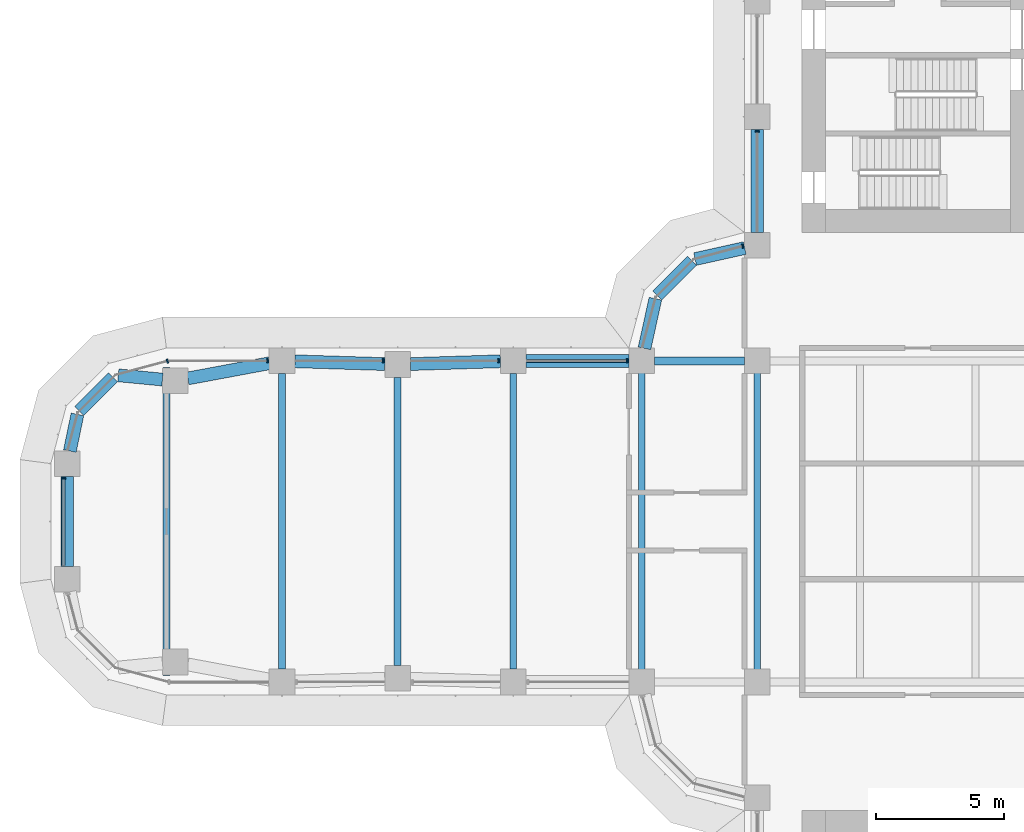
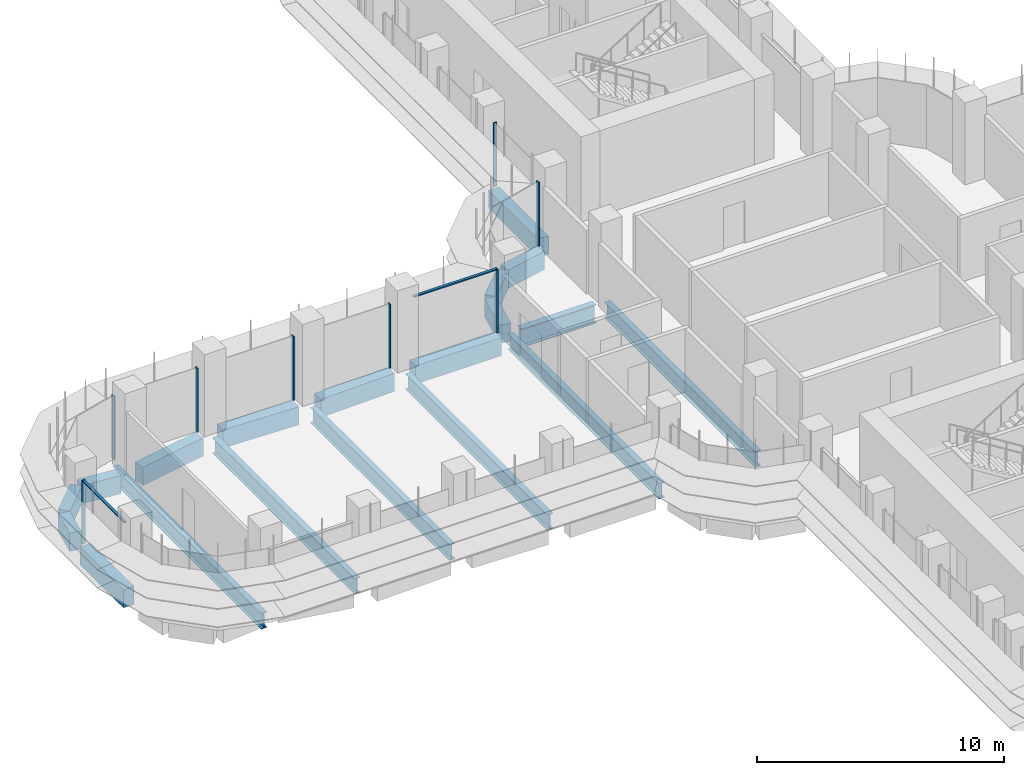
# One storey, part 6 of 23: 19 beams, 10 members, 5 elements without a shape of their own.
"""IFC4 building model written with IfcOpenShell, lengths in metres."""

from ifc_helpers import new_model, si_unit, direction, frame, origin, origin_2d, place, context, subcontext, project, spatial, polyline, rectangle, i_section, outline, extrude, source, transform, mapped, material, material_profile, profile_set, type_object, element, aggregate, save


model = new_model("IFC4")

# Units and contexts
model_context = context("Model", 3, precision=1e-05, world=origin(), true_north=direction((0.0, 1.0)))
body_context = subcontext(model_context, "Body", "Model", "MODEL_VIEW")
ifc_project = project(units=[si_unit("LENGTHUNIT", "METRE"), si_unit("AREAUNIT", "SQUARE_METRE"), si_unit("VOLUMEUNIT", "CUBIC_METRE"), si_unit("PLANEANGLEUNIT", "RADIAN"), si_unit("MASSUNIT", "GRAM", prefix="KILO")], contexts=[model_context])

# Site, building, storey
site_placement = place(None, origin())
site = spatial("IfcSite", under=ifc_project, at=site_placement, CompositionType="ELEMENT")
building_placement = place(site_placement, origin())
building = spatial("IfcBuilding", under=site, at=building_placement, Name="Zarbagh Exchange Tower", CompositionType="ELEMENT")
storey_placement = place(building_placement, frame((0.0, 0.0, 69.0)))
storey = spatial("IfcBuildingStorey", under=building, at=storey_placement, Name="L15", CompositionType="ELEMENT", Elevation=69.0)

# Beams
ifc_material_1 = material(Name="Steel ASTM A992 Gr 50", Category="steel")
ifc_material_profile_1 = material_profile(ifc_material_1, i_section(OverallWidth=0.2666015625, OverallDepth=0.76708984375, WebThickness=0.014892578125, FlangeThickness=0.023681640625, at=origin_2d()), Name="W30X124")
ifc_profile_set_1 = profile_set([ifc_material_profile_1], Name="Steel ASTM A992 Gr 50")
beam_type_1 = type_object("IfcBeamType", Name="Floor beam W30X124", PredefinedType="BEAM", material=ifc_profile_set_1)
for number, where, z_axis, x_axis, name in (
    (1, (-10.75, -6.09765625, -0.533447265625), (0.0, 1.0, 0.0), (-1.0, 0.0, 0.0), "Steel floor beam"),
    (2, (-6.25, -6.09765625, -0.533447265625), (0.0, 1.0, 0.0), (-1.0, 0.0, 0.0), "Steel floor beam"),
):
    element("IfcBeam", number, at=place(storey_placement, frame(where, z_axis=z_axis, x_axis=x_axis)), inside=storey, type_object=beam_type_1, Name=name, PredefinedType="BEAM", context=body_context, shape_type="SweptSolid", body=[
        extrude(i_section(OverallWidth=0.2666015625, OverallDepth=0.76708984375, WebThickness=0.014892578125, FlangeThickness=0.023681640625, at=origin_2d()), origin(), (0.0, 0.0, 1.0), 12.1953125),
    ])
beam_1_placement = place(storey_placement, frame((-15.75, -5.75, -0.533447265625), z_axis=(0.0, 1.0, 0.0), x_axis=(-1.0, 0.0, 0.0)))
element("IfcBeam", 3, at=beam_1_placement, inside=storey, type_object=beam_type_1, Name="Steel floor beam", PredefinedType="BEAM", context=body_context, shape_type="SweptSolid", body=[
    extrude(i_section(OverallWidth=0.2666015625, OverallDepth=0.76708984375, WebThickness=0.014892578125, FlangeThickness=0.023681640625, at=origin_2d()), origin(), (0.0, 0.0, 1.0), 11.5),
])
beam_2_placement = place(storey_placement, frame((-20.25, -5.610107421875, -0.533447265625), z_axis=(0.0, 1.0, 0.0), x_axis=(-1.0, 0.0, 0.0)))
element("IfcBeam", 4, at=beam_2_placement, inside=storey, type_object=beam_type_1, Name="Steel floor beam", PredefinedType="BEAM", context=body_context, shape_type="SweptSolid", body=[
    extrude(i_section(OverallWidth=0.2666015625, OverallDepth=0.76708984375, WebThickness=0.014892578125, FlangeThickness=0.023681640625, at=origin_2d()), origin(), (0.0, 0.0, 1.0), 11.22021484375),
])
beam_3_placement = place(storey_placement, frame((-24.75, -5.75, -0.533447265625), z_axis=(0.0, 1.0, 0.0), x_axis=(-1.0, 0.0, 0.0)))
element("IfcBeam", 5, at=beam_3_placement, inside=storey, type_object=beam_type_1, Name="Steel floor beam", PredefinedType="BEAM", context=body_context, shape_type="SweptSolid", body=[
    extrude(i_section(OverallWidth=0.2666015625, OverallDepth=0.76708984375, WebThickness=0.014892578125, FlangeThickness=0.023681640625, at=origin_2d()), origin(), (0.0, 0.0, 1.0), 11.5),
])
beam_4_placement = place(storey_placement, frame((-29.25, -6.0, -0.533447265625), z_axis=(0.0, 1.0, 0.0), x_axis=(-1.0, 0.0, 0.0)))
element("IfcBeam", 6, at=beam_4_placement, inside=storey, type_object=beam_type_1, Name="Steel floor beam", PredefinedType="BEAM", context=body_context, shape_type="SweptSolid", body=[
    extrude(i_section(OverallWidth=0.2666015625, OverallDepth=0.76708984375, WebThickness=0.014892578125, FlangeThickness=0.023681640625, at=origin_2d()), origin(), (0.0, 0.0, 1.0), 12.0),
])
ifc_material_profile_2 = material_profile(ifc_material_1, i_section(OverallWidth=0.3046875, OverallDepth=0.91943359375, WebThickness=0.017333984375, FlangeThickness=0.02783203125, at=origin_2d()), Name="W36X170")
ifc_profile_set_2 = profile_set([ifc_material_profile_2], Name="Steel ASTM A992 Gr 50")
beam_type_2 = type_object("IfcBeamType", Name="Floor girder W36X170", PredefinedType="BEAM", material=ifc_profile_set_2)
beam_5_placement = place(storey_placement, frame((-10.25, 6.25, -0.609619140625), z_axis=(1.0, 0.0, 0.0), x_axis=(0.0, 1.0, 0.0)))
element("IfcBeam", 7, at=beam_5_placement, inside=storey, type_object=beam_type_2, Name="Steel girder", PredefinedType="BEAM", context=body_context, shape_type="SweptSolid", body=[
    extrude(i_section(OverallWidth=0.3046875, OverallDepth=0.91943359375, WebThickness=0.017333984375, FlangeThickness=0.02783203125, at=origin_2d()), origin(), (0.0, 0.0, 1.0), 3.5),
])
ifc_material_2 = material(Name="Concrete C60/75", Category="concrete")
ifc_material_profile_3 = material_profile(ifc_material_2, rectangle(XDim=0.5, YDim=0.89990234375, at=origin_2d()), Name="RC spandrel beam 500 x 900 C60/75")
ifc_profile_set_3 = profile_set([ifc_material_profile_3], Name="Concrete C60/75")
beam_type_3 = type_object("IfcBeamType", Name="RC spandrel beam 500 x 900 C60/75", PredefinedType="SPANDREL", material=ifc_profile_set_3)
beam_6_placement = place(storey_placement, frame((-33.110107421875, -1.75, -0.60009765625), z_axis=(0.0, 1.0, 0.0), x_axis=(-1.0, 0.0, 0.0)))
element("IfcBeam", 8, at=beam_6_placement, inside=storey, type_object=beam_type_3, Name="RC spandrel beam", PredefinedType="SPANDREL", context=body_context, shape_type="SweptSolid", body=[
    extrude(rectangle(XDim=0.5, YDim=0.89990234375, at=origin_2d()), origin(), (0.0, 0.0, 1.0), 3.5),
])
beam_7_placement = place(storey_placement, frame((-33.0087890625, 2.73974609375, -0.60009765625), z_axis=(0.202068589164, 0.9793713725, 0.0), x_axis=(-0.9793713725, 0.202068589164, 0.0)))
element("IfcBeam", 9, at=beam_7_placement, inside=storey, type_object=beam_type_3, Name="RC spandrel beam", PredefinedType="SPANDREL", context=body_context, shape_type="SweptSolid", body=[
    extrude(rectangle(XDim=0.5, YDim=0.89990234375, at=origin_2d()), origin(), (0.0, 0.0, 1.0), 1.458251953125),
])
beam_8_placement = place(storey_placement, frame((-32.64599609375, 4.294189453125, -0.60009765625), z_axis=(0.707172099812, 0.707041456527, 0.0), x_axis=(-0.707041456527, 0.707172099812, 0.0)))
element("IfcBeam", 10, at=beam_8_placement, inside=storey, type_object=beam_type_3, Name="RC spandrel beam", PredefinedType="SPANDREL", context=body_context, shape_type="SweptSolid", body=[
    extrude(rectangle(XDim=0.5, YDim=0.89990234375, at=origin_2d()), origin(), (0.0, 0.0, 1.0), 1.86865234375),
])
beam_9_placement = place(storey_placement, frame((-31.123779296875, 5.6875, -0.60009765625), z_axis=(0.995431032456, -0.095483294999, 0.0), x_axis=(0.095483294999, 0.995431032456, 0.0)))
element("IfcBeam", 11, at=beam_9_placement, inside=storey, type_object=beam_type_3, Name="RC spandrel beam", PredefinedType="SPANDREL", context=body_context, shape_type="SweptSolid", body=[
    extrude(rectangle(XDim=0.5, YDim=0.89990234375, at=origin_2d()), origin(), (0.0, 0.0, 1.0), 1.725830078125),
])
beam_10_placement = place(storey_placement, frame((-28.41650390625, 5.566650390625, -0.60009765625), z_axis=(0.983069300761, 0.183234139565, 0.0), x_axis=(-0.183234139565, 0.983069300761, 0.0)))
element("IfcBeam", 12, at=beam_10_placement, inside=storey, type_object=beam_type_3, Name="RC spandrel beam", PredefinedType="SPANDREL", context=body_context, shape_type="SweptSolid", body=[
    extrude(rectangle(XDim=0.5, YDim=0.89990234375, at=origin_2d()), origin(), (0.0, 0.0, 1.0), 3.229736328125),
])
for number, where, z_axis, x_axis, name in (
    (13, (-24.250244140625, 6.234619140625, -0.60009765625), (0.999514385708, -0.031160756759, 0.0), (0.031160756759, 0.999514385708, 0.0), "RC spandrel beam"),
    (14, (-19.750244140625, 6.12548828125, -0.60009765625), (0.999514385708, 0.031160756759, 0.0), (-0.031160756759, 0.999514385708, 0.0), "RC spandrel beam"),
):
    element("IfcBeam", number, at=place(storey_placement, frame(where, z_axis=z_axis, x_axis=x_axis)), inside=storey, type_object=beam_type_3, Name=name, PredefinedType="SPANDREL", context=body_context, shape_type="SweptSolid", body=[
        extrude(rectangle(XDim=0.5, YDim=0.89990234375, at=origin_2d()), origin(), (0.0, 0.0, 1.0), 3.502197265625),
    ])
beam_11_placement = place(storey_placement, frame((-15.25, 6.25, -0.60009765625), z_axis=(1.0, 0.0, 0.0), x_axis=(0.0, 1.0, 0.0)))
element("IfcBeam", 15, at=beam_11_placement, inside=storey, type_object=beam_type_3, Name="RC spandrel beam", PredefinedType="SPANDREL", context=body_context, shape_type="SweptSolid", body=[
    extrude(rectangle(XDim=0.5, YDim=0.89990234375, at=origin_2d()), origin(), (0.0, 0.0, 1.0), 4.0),
])
beam_12_placement = place(storey_placement, frame((-10.64208984375, 6.73828125, -0.60009765625), z_axis=(0.216081063242, 0.976375426825, 0.0), x_axis=(-0.976375426825, 0.216081063242, 0.0)))
element("IfcBeam", 16, at=beam_12_placement, inside=storey, type_object=beam_type_3, Name="RC spandrel beam", PredefinedType="SPANDREL", context=body_context, shape_type="SweptSolid", body=[
    extrude(rectangle(XDim=0.5, YDim=0.89990234375, at=origin_2d()), origin(), (0.0, 0.0, 1.0), 1.978271484375),
])
beam_13_placement = place(storey_placement, frame((-10.147216796875, 8.792724609375, -0.60009765625), z_axis=(0.707106781187, 0.707106781187, 0.0), x_axis=(-0.707106781187, 0.707106781187, 0.0)))
element("IfcBeam", 17, at=beam_13_placement, inside=storey, type_object=beam_type_3, Name="RC spandrel beam", PredefinedType="SPANDREL", context=body_context, shape_type="SweptSolid", body=[
    extrude(rectangle(XDim=0.5, YDim=0.89990234375, at=origin_2d()), origin(), (0.0, 0.0, 1.0), 1.91552734375),
])
beam_14_placement = place(storey_placement, frame((-8.669921875, 10.214599609375, -0.60009765625), z_axis=(0.976375426825, 0.216081063242, 0.0), x_axis=(-0.216081063242, 0.976375426825, 0.0)))
element("IfcBeam", 18, at=beam_14_placement, inside=storey, type_object=beam_type_3, Name="RC spandrel beam", PredefinedType="SPANDREL", context=body_context, shape_type="SweptSolid", body=[
    extrude(rectangle(XDim=0.5, YDim=0.89990234375, at=origin_2d()), origin(), (0.0, 0.0, 1.0), 1.978271484375),
])
beam_15_placement = place(storey_placement, frame((-6.25, 11.25, -0.60009765625), z_axis=(0.0, 1.0, 0.0), x_axis=(-1.0, 0.0, 0.0)))
element("IfcBeam", 19, at=beam_15_placement, inside=storey, type_object=beam_type_3, Name="RC spandrel beam", PredefinedType="SPANDREL", context=body_context, shape_type="SweptSolid", body=[
    extrude(rectangle(XDim=0.5, YDim=0.89990234375, at=origin_2d()), origin(), (0.0, 0.0, 1.0), 4.0),
])

# Curtain wall, member
ifc_material_3 = material(Name="Anodised aluminium frame and glazing", Category="aluminium")
curtain_wall_type = type_object("IfcCurtainWallType", Name="CWA Ribbon glazing, lower zones", PredefinedType="NOTDEFINED", material=ifc_material_3)
curtain_wall_1_placement = place(storey_placement, origin())
curtain_wall_1 = element("IfcCurtainWall", 20, at=curtain_wall_1_placement, inside=storey, type_object=curtain_wall_type, Name="CWA28 curtain wall", PredefinedType="NOTDEFINED")
ifc_material_4 = material(Name="Anodised aluminium frame", Category="aluminium")
member_type_1 = type_object("IfcMemberType", Name="MUA Mullion, anodised aluminium frame", PredefinedType="MULLION", material=ifc_material_4)
shared_shape_1 = source(origin(), body_context, "Body", "SweptSolid", [
    extrude(outline(polyline([(0.0, -0.080078125), (0.06005859375, -0.080078125), (0.06005859375, 0.080078125), (0.0, 0.080078125), (0.0, -0.080078125)])), origin(), (0.0, 0.0, 1.0), 3.14990234375),
])
placement = place(storey_placement, origin())
member_1 = element("IfcMember", 21, at=placement, type_object=member_type_1, Name="CWA28 mullion 5.1", PredefinedType="MULLION", context=body_context, shape_type="MappedRepresentation", body=[
    mapped(shared_shape_1, transform((-6.25, 15.2099609375, 0.0), x_axis=(0.0, -1.0, 0.0), y_axis=(1.0, 0.0, 0.0), z_axis=(0.0, 0.0, 1.0))),
])
aggregate(curtain_wall_1, [member_1])

curtain_wall_2_placement = place(storey_placement, origin())
curtain_wall_2 = element("IfcCurtainWall", 22, at=curtain_wall_2_placement, inside=storey, type_object=curtain_wall_type, Name="CWA29 curtain wall", PredefinedType="NOTDEFINED")
member_2 = element("IfcMember", 23, at=placement, type_object=member_type_1, Name="CWA29 mullion 1.1", PredefinedType="MULLION", context=body_context, shape_type="MappedRepresentation", body=[
    mapped(shared_shape_1, transform((-6.7900390625, 10.7216796875, 0.0), x_axis=(-0.965924289636, -0.258824779902, 0.0), y_axis=(0.258824779902, -0.965924289636, 0.0), z_axis=(0.0, 0.0, 1.0))),
])
aggregate(curtain_wall_2, [member_2])

# Curtain wall, members
curtain_wall_3_placement = place(storey_placement, origin())
curtain_wall_3 = element("IfcCurtainWall", 24, at=curtain_wall_3_placement, inside=storey, type_object=curtain_wall_type, Name="CWA32 curtain wall", PredefinedType="NOTDEFINED")
member_3 = element("IfcMember", 25, at=placement, type_object=member_type_1, Name="CWA32 mullion 1.1", PredefinedType="MULLION", context=body_context, shape_type="MappedRepresentation", body=[
    mapped(shared_shape_1, transform((-11.2900390625, 6.25, 0.0), x_axis=(-1.0, 0.0, 0.0), y_axis=(0.0, -1.0, 0.0), z_axis=(0.0, 0.0, 1.0))),
])
member_4 = element("IfcMember", 26, at=placement, type_object=member_type_1, Name="CWA32 mullion 2.1", PredefinedType="MULLION", context=body_context, shape_type="MappedRepresentation", body=[
    mapped(shared_shape_1, transform((-16.2900390625, 6.25, 0.0), x_axis=(-1.0, 0.0, 0.0), y_axis=(0.0, -1.0, 0.0), z_axis=(0.0, 0.0, 1.0))),
])
member_5 = element("IfcMember", 27, at=placement, type_object=member_type_1, Name="CWA32 mullion 3.1", PredefinedType="MULLION", context=body_context, shape_type="MappedRepresentation", body=[
    mapped(shared_shape_1, transform((-20.7900390625, 6.25, 0.0), x_axis=(-1.0, 0.0, 0.0), y_axis=(0.0, -1.0, 0.0), z_axis=(0.0, 0.0, 1.0))),
])
member_6 = element("IfcMember", 28, at=placement, type_object=member_type_1, Name="CWA32 mullion 4.1", PredefinedType="MULLION", context=body_context, shape_type="MappedRepresentation", body=[
    mapped(shared_shape_1, transform((-25.2900390625, 6.25, 0.0), x_axis=(-1.0, 0.0, 0.0), y_axis=(0.0, -1.0, 0.0), z_axis=(0.0, 0.0, 1.0))),
])

# Curtain wall, member
curtain_wall_4_placement = place(storey_placement, origin())
curtain_wall_4 = element("IfcCurtainWall", 29, at=curtain_wall_4_placement, inside=storey, type_object=curtain_wall_type, Name="CWA33 curtain wall", PredefinedType="NOTDEFINED")
member_7 = element("IfcMember", 30, at=placement, type_object=member_type_1, Name="CWA33 mullion 1.1", PredefinedType="MULLION", context=body_context, shape_type="MappedRepresentation", body=[
    mapped(shared_shape_1, transform((-29.18408203125, 6.25, 0.0), x_axis=(-0.965924289636, -0.258824779902, 0.0), y_axis=(0.258824779902, -0.965924289636, 0.0), z_axis=(0.0, 0.0, 1.0))),
])
aggregate(curtain_wall_4, [member_7])

curtain_wall_5_placement = place(storey_placement, origin())
curtain_wall_5 = element("IfcCurtainWall", 31, at=curtain_wall_5_placement, inside=storey, type_object=curtain_wall_type, Name="CWA36 curtain wall", PredefinedType="NOTDEFINED")
member_8 = element("IfcMember", 32, at=placement, type_object=member_type_1, Name="CWA36 mullion 1.1", PredefinedType="MULLION", context=body_context, shape_type="MappedRepresentation", body=[
    mapped(shared_shape_1, transform((-33.25, 1.7099609375, 0.0), x_axis=(0.0, -1.0, 0.0), y_axis=(1.0, 0.0, 0.0), z_axis=(0.0, 0.0, 1.0))),
])

# Member
member_type_2 = type_object("IfcMemberType", Name="TRA Transom, anodised aluminium frame", PredefinedType="USERDEFINED", material=ifc_material_4)
shared_shape_2 = source(origin(), body_context, "Body", "SweptSolid", [
    extrude(outline(polyline([(-0.06005859375, -0.06005859375), (0.0, -0.06005859375), (0.0, 0.06005859375), (-0.06005859375, 0.06005859375), (-0.06005859375, -0.06005859375)])), origin(), (0.0, 0.0, 1.0), 3.860107421875),
])
member_9 = element("IfcMember", 33, at=placement, type_object=member_type_2, Name="CWA32 transom 1.1", ObjectType="TRANSOM", PredefinedType="USERDEFINED", context=body_context, shape_type="MappedRepresentation", body=[
    mapped(shared_shape_2, transform((-11.35009765625, 6.25, 3.14990234375), x_axis=(0.0, 0.0, 1.0), y_axis=(0.0, 1.0, 0.0), z_axis=(-1.0, 0.0, 0.0))),
])

aggregate(curtain_wall_3, [member_3, member_9, member_4, member_5, member_6])

shared_shape_3 = source(origin(), body_context, "Body", "SweptSolid", [
    extrude(outline(polyline([(-0.06005859375, -0.06005859375), (0.0, -0.06005859375), (0.0, 0.06005859375), (-0.06005859375, 0.06005859375), (-0.06005859375, -0.06005859375)])), origin(), (0.0, 0.0, 1.0), 3.360107421875),
])
member_10 = element("IfcMember", 34, at=placement, type_object=member_type_2, Name="CWA36 transom 1.1", ObjectType="TRANSOM", PredefinedType="USERDEFINED", context=body_context, shape_type="MappedRepresentation", body=[
    mapped(shared_shape_3, transform((-33.25, 1.64990234375, 3.14990234375), x_axis=(0.0, 0.0, 1.0), y_axis=(-1.0, 0.0, 0.0), z_axis=(0.0, -1.0, 0.0))),
])

aggregate(curtain_wall_5, [member_8, member_10])

save(model, "model.ifc")
